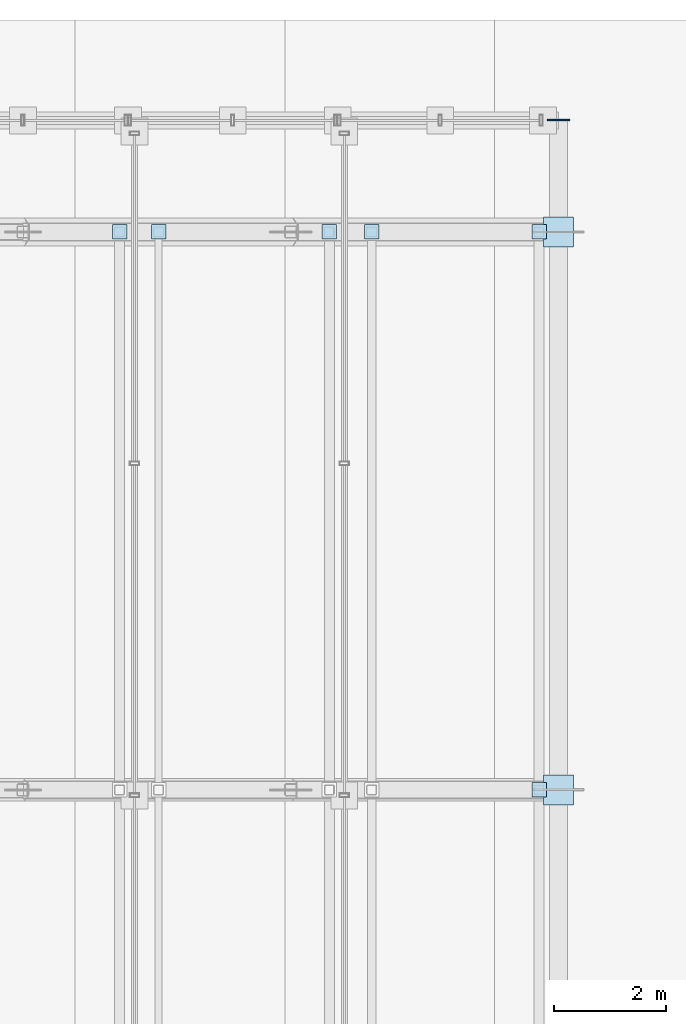
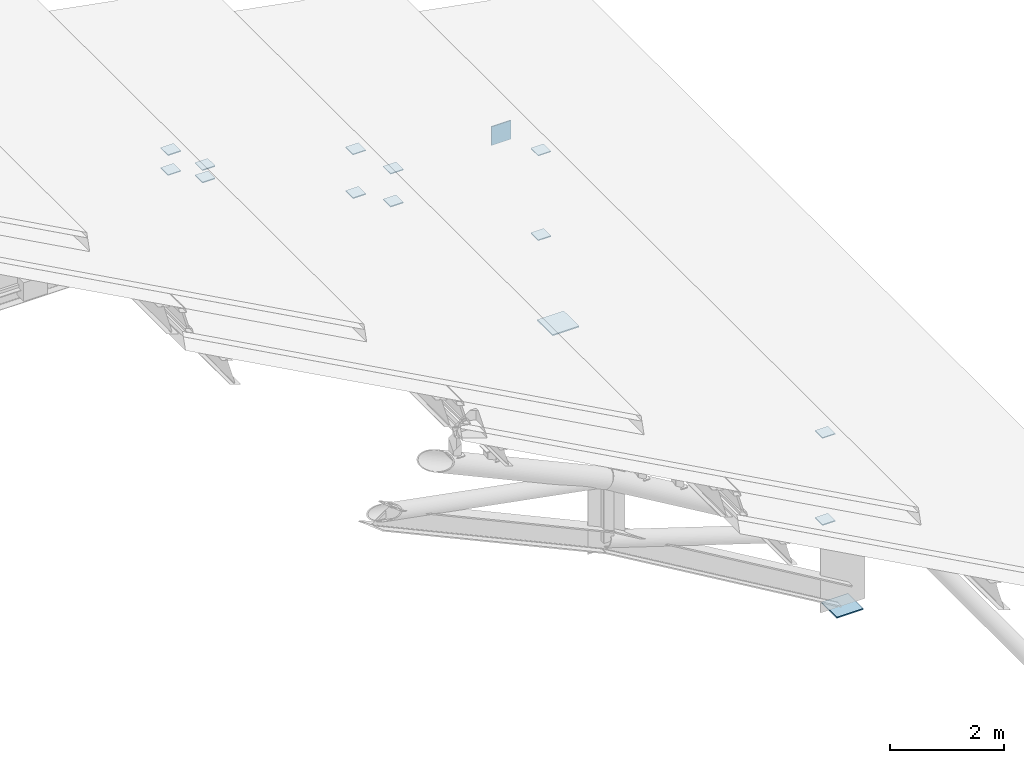
# One storey, part 109 of 117: 15 plates.
"""IFC4 building model written with IfcOpenShell, lengths in metres."""

import ifcopenshell
import ifcopenshell.guid

model = None  # the IFC model being written
_history = None  # IfcOwnerHistory: only IFC2X3 demands one
_inside = {}  # id of a spatial element -> (the spatial element, [elements in it])
_under = {}  # id of a project, library or spatial element -> (it, [spatial elements below it])
_declared = {}  # id of a project -> (the project, [libraries it declares])
_typed = {}  # id of a type object -> (the type object, [elements of that type])
_made_of = {}  # id of a material, layer set ... -> (it, [elements and type objects made of it])


def new_model(schema):
    """Start an empty IFC model of exactly this schema.

    Asked for "IFC4X3", IfcOpenShell would pick the latest addendum, in which some entities
    have other attributes; the version numbers below select the first issue.
    IFC2X3 requires an IfcOwnerHistory on every rooted entity: one is made here for all.
    """
    global model, _history
    if schema == "IFC4X3":
        model = ifcopenshell.file(schema_version=(4, 3, 0, 0))
    else:
        model = ifcopenshell.file(schema=schema)
    _inside.clear()
    _under.clear()
    _declared.clear()
    _typed.clear()
    _made_of.clear()
    _history = None
    if model.schema == "IFC2X3":
        org = make("IfcOrganization", Name="unknown")
        user = make(
            "IfcPersonAndOrganization",
            ThePerson=make("IfcPerson", FamilyName="unknown"),
            TheOrganization=org,
        )
        app = make(
            "IfcApplication",
            ApplicationDeveloper=org,
            Version="unknown",
            ApplicationFullName="unknown",
            ApplicationIdentifier="unknown",
        )
        _history = make(
            "IfcOwnerHistory",
            OwningUser=user,
            OwningApplication=app,
            ChangeAction="ADDED",
            CreationDate=0,
        )
    return model


def make(cls, **values):
    """One entity of the class cls with the attributes given. An attribute that is None is left unset."""
    return model.create_entity(
        cls, **{name: value for name, value in values.items() if value is not None}
    )


def rooted(cls, **values):
    """An entity with a GlobalId (a new one), such as an element, a storey or a relation."""
    return make(cls, GlobalId=ifcopenshell.guid.new(), OwnerHistory=_history, **values)


def si_unit(unit_type, name, prefix=None):
    """IfcSIUnit, for example si_unit("LENGTHUNIT", "METRE", prefix="MILLI")."""
    return make("IfcSIUnit", UnitType=unit_type, Prefix=prefix, Name=name)


def assignment(units):
    """IfcUnitAssignment: the units of a project."""
    return None if units is None else make("IfcUnitAssignment", Units=units)


def point(xyz):
    """IfcCartesianPoint."""
    return None if xyz is None else make("IfcCartesianPoint", Coordinates=xyz)


def direction(xyz):
    """IfcDirection."""
    return None if xyz is None else make("IfcDirection", DirectionRatios=xyz)


def frame(location, z_axis=None, x_axis=None):
    """IfcAxis2Placement3D, a coordinate frame: its origin and axes. An axis left out is left unset."""
    return make(
        "IfcAxis2Placement3D",
        Location=point(location),
        Axis=direction(z_axis),
        RefDirection=direction(x_axis),
    )


def frame_2d(location, x_axis=None):
    """IfcAxis2Placement2D, a coordinate frame in the plane: its origin and x axis."""
    return make(
        "IfcAxis2Placement2D", Location=point(location), RefDirection=direction(x_axis)
    )


def origin():
    """The frame at (0, 0, 0) with its axes left unset."""
    return frame((0.0, 0.0, 0.0))


def origin_2d():
    """The frame at (0, 0) in the plane with its x axis left unset."""
    return frame_2d((0.0, 0.0))


def place(relative_to, where):
    """IfcLocalPlacement: puts the frame where relative to a parent placement (None: the world)."""
    return make(
        "IfcLocalPlacement", PlacementRelTo=relative_to, RelativePlacement=where
    )


def context(
    kind, dimensions, precision=None, world=None, true_north=None, identifier=None
):
    """IfcGeometricRepresentationContext, for example the 3D "Model" context."""
    return make(
        "IfcGeometricRepresentationContext",
        ContextIdentifier=identifier,
        ContextType=kind,
        CoordinateSpaceDimension=dimensions,
        Precision=precision,
        WorldCoordinateSystem=world,
        TrueNorth=true_north,
    )


def subcontext(parent, identifier, kind, view, scale=None):
    """IfcGeometricRepresentationSubContext, for example "Body" below "Model"."""
    return make(
        "IfcGeometricRepresentationSubContext",
        ContextIdentifier=identifier,
        ContextType=kind,
        ParentContext=parent,
        TargetScale=scale,
        TargetView=view,
    )


def project(units=None, contexts=None):
    """IfcProject with its units and contexts."""
    return rooted(
        "IfcProject",
        Name="project",
        RepresentationContexts=contexts,
        UnitsInContext=assignment(units),
    )


def spatial(cls, under=None, at=None, **own):
    """A site, building, storey or space (cls), placed at a placement, below another one or the project."""
    s = rooted(cls, ObjectPlacement=at, **own)
    if under is not None:
        _under.setdefault(under.id(), (under, []))[1].append(s)
    return s


def profile(cls, at=None, kind="AREA", **sizes):
    """A parametric profile (cls). Its sizes go by their IFC names, for example OverallWidth=200.0."""
    return make(cls, ProfileType=kind, Position=at, **sizes)


def rectangle(**sizes):
    """IfcRectangleProfileDef."""
    return profile("IfcRectangleProfileDef", **sizes)


def extrude(swept, where, along, depth):
    """IfcExtrudedAreaSolid: the profile swept, set in the frame where, extruded along a direction by depth."""
    return make(
        "IfcExtrudedAreaSolid",
        SweptArea=swept,
        Position=where,
        ExtrudedDirection=direction(along),
        Depth=depth,
    )


def shape(context_of_items, identifier, shape_type, items):
    """IfcShapeRepresentation: the items that make up one representation, for example the "Body"."""
    return make(
        "IfcShapeRepresentation",
        ContextOfItems=context_of_items,
        RepresentationIdentifier=identifier,
        RepresentationType=shape_type,
        Items=items,
    )


def material(Name=None, Category=None):
    """IfcMaterial."""
    return make("IfcMaterial", Name=Name, Category=Category)


def layer(
    of_material, thickness, ventilated=None, Name=None, Category=None, Priority=None
):
    """IfcMaterialLayer: one layer of a wall or slab, of a material (None: an air gap)."""
    return make(
        "IfcMaterialLayer",
        Material=of_material,
        LayerThickness=thickness,
        IsVentilated=ventilated,
        Name=Name,
        Category=Category,
        Priority=Priority,
    )


def layer_set(layers, Name=None):
    """IfcMaterialLayerSet."""
    return make("IfcMaterialLayerSet", MaterialLayers=layers, LayerSetName=Name)


def made_of(thing, what):
    """Note that an element or type object is made of a material, layer set ...; save() writes the relation."""
    if what is not None:
        _made_of.setdefault(what.id(), (what, []))[1].append(thing)
    return thing


def type_object(cls, material=None, **own):
    """A type object (cls), such as IfcWallType, which elements share."""
    return made_of(rooted(cls, **own), material)


def element(
    cls,
    number,
    at=None,
    inside=None,
    cuts=None,
    type_object=None,
    material=None,
    context=None,
    identifier="Body",
    shape_type=None,
    held_by="IfcProductDefinitionShape",
    body=None,
    shapes=None,
    **own,
):
    """One element of the class cls, such as IfcWall. Its Tag is "e" and its number.

    at: its placement. inside: the storey or other place that contains it. cuts: it is an
    opening in that element (IfcRelVoidsElement). A single representation is given by context,
    identifier, shape_type and body (its items); several are given by shapes. held_by: the class
    of the entity that holds the representations. save() writes the other relations.
    """
    e = rooted(cls, Tag="e%d" % number, ObjectPlacement=at, **own)
    if body is not None:
        shapes = [shape(context, identifier, shape_type, body)]
    if shapes is not None:
        e.Representation = make(held_by, Representations=shapes)
    if inside is not None:
        _inside.setdefault(inside.id(), (inside, []))[1].append(e)
    if cuts is not None:
        rooted(
            "IfcRelVoidsElement", RelatingBuildingElement=cuts, RelatedOpeningElement=e
        )
    if type_object is not None:
        _typed.setdefault(type_object.id(), (type_object, []))[1].append(e)
    return made_of(e, material)


def aggregate(whole, parts):
    """IfcRelAggregates: a whole, such as a stair, and the parts it consists of."""
    return rooted("IfcRelAggregates", RelatingObject=whole, RelatedObjects=parts)


def save(model, path):
    """Write the relations noted so far, then the file.

    IfcRelAggregates (storeys below a building ...), IfcRelContainedInSpatialStructure (elements
    in a storey), IfcRelDefinesByType, IfcRelAssociatesMaterial and IfcRelDeclares: one each for
    every whole, place, type object, material and project.
    """
    for whole, parts in _under.values():
        aggregate(whole, parts)
    for where, things in _inside.values():
        rooted(
            "IfcRelContainedInSpatialStructure",
            RelatedElements=things,
            RelatingStructure=where,
        )
    for kind, things in _typed.values():
        rooted("IfcRelDefinesByType", RelatedObjects=things, RelatingType=kind)
    for what, things in _made_of.values():
        rooted("IfcRelAssociatesMaterial", RelatedObjects=things, RelatingMaterial=what)
    for by, libraries in _declared.values():
        rooted("IfcRelDeclares", RelatingContext=by, RelatedDefinitions=libraries)
    model.write(path)


model = new_model("IFC4")

# Units and contexts
model_context = context("Model", 3, precision=1e-05, world=origin(), true_north=direction((0.0, 1.0)))
body_context = subcontext(model_context, "Body", "Model", "MODEL_VIEW")
ifc_project = project(units=[si_unit("LENGTHUNIT", "METRE"), si_unit("AREAUNIT", "SQUARE_METRE"), si_unit("VOLUMEUNIT", "CUBIC_METRE"), si_unit("PLANEANGLEUNIT", "RADIAN"), si_unit("MASSUNIT", "GRAM", prefix="KILO")], contexts=[model_context])

# Site, building, storey
site_placement = place(None, origin())
site = spatial("IfcSite", under=ifc_project, at=site_placement, CompositionType="ELEMENT")
building_placement = place(site_placement, origin())
building = spatial("IfcBuilding", under=site, at=building_placement, Name="Merenkruunu Market Hall", CompositionType="ELEMENT")
storey_placement = place(building_placement, frame((0.0, 0.0, 22.800048828125)))
storey = spatial("IfcBuildingStorey", under=building, at=storey_placement, Name="RF", CompositionType="ELEMENT", Elevation=22.800048828125)

# Plates
ifc_material = material(Name="Steel S355ML", Category="steel")
ifc_layer_1 = layer(ifc_material, 0.02392578125)
ifc_layer_set_1 = layer_set([ifc_layer_1], Name="Steel S355ML")
plate_type_1 = type_object("IfcPlateType", Name="Truss Gusset Or Cap Plate CP03", PredefinedType="USERDEFINED", material=ifc_layer_set_1)
for number, where, z_axis, x_axis, name in (
    (1, (57.60009765625, 99.60009765625, -11.7490234375), (0.0, 0.0, 1.0), (1.0, 0.0, 0.0), "PLT-ARCH-SHOE-E-AT-8"),
    (2, (57.60009765625, 109.60009765625, -11.7490234375), (0.0, 0.0, 1.0), (1.0, 0.0, 0.0), "PLT-ARCH-SHOE-E-AT-G"),
):
    element("IfcPlate", number, at=place(storey_placement, frame(where, z_axis=z_axis, x_axis=x_axis)), inside=storey, type_object=plate_type_1, Name=name, ObjectType="GUSSET_PLATE", PredefinedType="USERDEFINED", context=body_context, shape_type="SweptSolid", body=[
        extrude(rectangle(XDim=0.5400390625, YDim=0.5400390625, at=origin_2d()), origin(), (0.0, 0.0, 1.0), 0.02392578125),
    ])
ifc_layer_2 = layer(ifc_material, 0.02001953125)
ifc_layer_set_2 = layer_set([ifc_layer_2], Name="Steel S355ML")
plate_type_2 = type_object("IfcPlateType", Name="Truss Gusset Or Cap Plate CP04", PredefinedType="USERDEFINED", material=ifc_layer_set_2)
for number, where, z_axis, x_axis, name in (
    (3, (57.25, 99.60009765625, -9.769775390625), (0.0, 0.0, 1.0), (1.0, 0.0, 0.0), "PLT-AT-8-RBASE-E1-1"),
    (4, (57.25, 99.60009765625, -7.900390625), (0.0, 0.0, 1.0), (1.0, 0.0, 0.0), "PLT-AT-8-RCAP-E1-1"),
    (5, (57.25, 109.60009765625, -9.718994140625), (0.0, 0.0, 1.0), (1.0, 0.0, 0.0), "PLT-AT-G-RBASE-E1-1"),
    (6, (57.25, 109.60009765625, -7.900390625), (0.0, 0.0, 1.0), (1.0, 0.0, 0.0), "PLT-AT-G-RCAP-E1-1"),
    (7, (54.25, 109.60009765625, -7.947998046875), (0.0, 0.0, 1.0), (1.0, 0.0, 0.0), "PLT-AT-G-RBASE-E1-2"),
    (8, (54.25, 109.60009765625, -7.241455078125), (0.0, 0.0, 1.0), (1.0, 0.0, 0.0), "PLT-AT-G-RCAP-E1-2"),
    (9, (53.489990234375, 109.60009765625, -7.4990234375), (0.0, 0.0, 1.0), (1.0, 0.0, 0.0), "PLT-AT-G-RBASE-E2-1"),
    (10, (53.489990234375, 109.60009765625, -6.56005859375), (0.0, 0.0, 1.0), (1.0, 0.0, 0.0), "PLT-AT-G-RCAP-E2-1"),
    (11, (50.429931640625, 109.60009765625, -6.09326171875), (0.0, 0.0, 1.0), (1.0, 0.0, 0.0), "PLT-AT-G-RBASE-E2-2"),
    (12, (50.429931640625, 109.60009765625, -5.827392578125), (0.0, 0.0, 1.0), (1.0, 0.0, 0.0), "PLT-AT-G-RCAP-E2-2"),
    (13, (49.72998046875, 109.60009765625, -5.68798828125), (0.0, 0.0, 1.0), (1.0, 0.0, 0.0), "PLT-AT-G-RBASE-E3-1"),
    (14, (49.72998046875, 109.60009765625, -5.26025390625), (0.0, 0.0, 1.0), (1.0, 0.0, 0.0), "PLT-AT-G-RCAP-E3-1"),
):
    element("IfcPlate", number, at=place(storey_placement, frame(where, z_axis=z_axis, x_axis=x_axis)), inside=storey, type_object=plate_type_2, Name=name, ObjectType="GUSSET_PLATE", PredefinedType="USERDEFINED", context=body_context, shape_type="SweptSolid", body=[
        extrude(rectangle(XDim=0.260009765625, YDim=0.260009765625, at=origin_2d()), origin(), (0.0, 0.0, 1.0), 0.02001953125),
    ])
ifc_layer_3 = layer(ifc_material, 0.02392578125)
ifc_layer_set_3 = layer_set([ifc_layer_3], Name="Steel S355ML")
plate_type_3 = type_object("IfcPlateType", Name="Truss Gusset Or Cap Plate CP06", PredefinedType="USERDEFINED", material=ifc_layer_set_3)
plate_placement = place(storey_placement, frame((57.60009765625, 111.610107421875, -9.06005859375), z_axis=(0.0, 0.0, 1.0), x_axis=(1.0, 0.0, 0.0)))
element("IfcPlate", 15, at=plate_placement, inside=storey, type_object=plate_type_3, Name="PLT-SPCAP-04", ObjectType="GUSSET_PLATE", PredefinedType="USERDEFINED", context=body_context, shape_type="SweptSolid", body=[
    extrude(rectangle(XDim=0.39990234375, YDim=0.02392578125, at=origin_2d()), origin(), (0.0, 0.0, 1.0), 0.39990234375),
])

save(model, "model.ifc")
